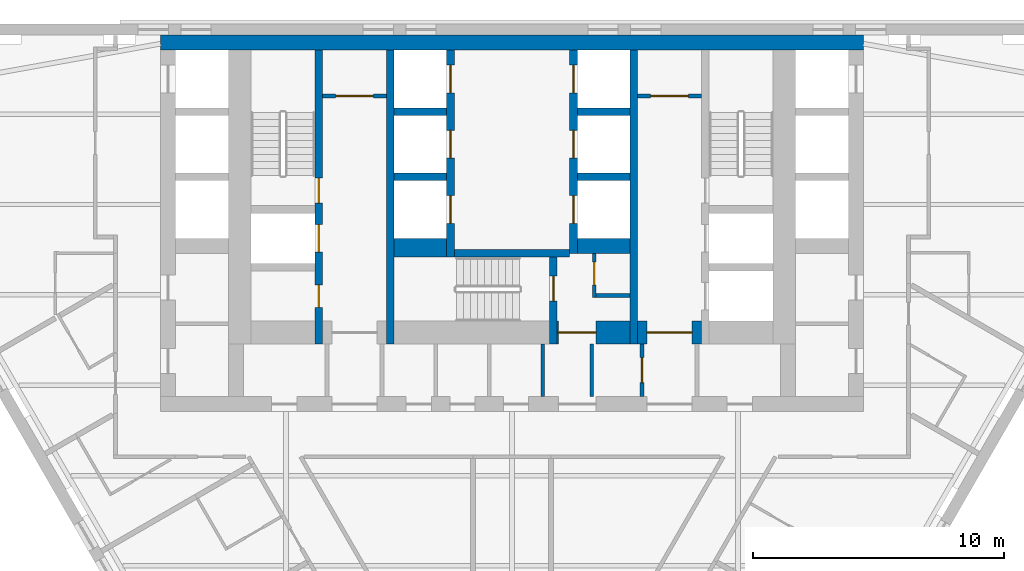
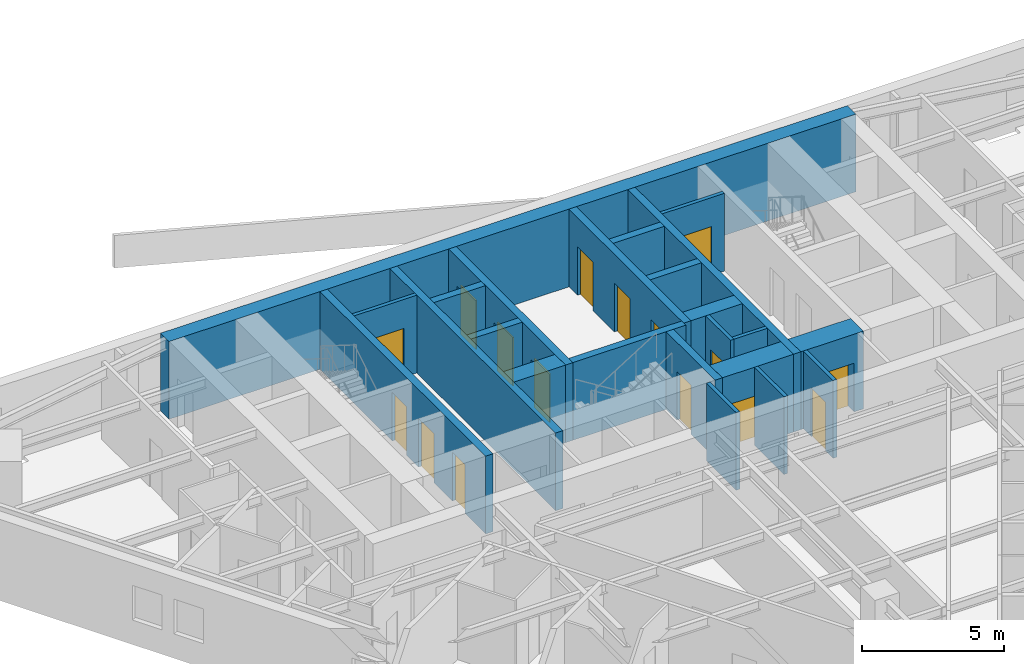
# One storey, part 6 of 11: 23 walls, 16 doors, 16 openings.
"""IFC4 building model written with IfcOpenShell, lengths in metres."""

from ifc_helpers import new_model, si_unit, direction, frame, frame_2d, origin, place, context, subcontext, project, spatial, rectangle, extrude, material, layer, layer_set, type_object, element, fill, save


model = new_model("IFC4")

# Units and contexts
model_context = context("Model", 3, precision=1e-05, world=origin(), true_north=direction((0.0, 1.0)))
body_context = subcontext(model_context, "Body", "Model", "MODEL_VIEW")
ifc_project = project(units=[si_unit("LENGTHUNIT", "METRE"), si_unit("AREAUNIT", "SQUARE_METRE"), si_unit("VOLUMEUNIT", "CUBIC_METRE"), si_unit("PLANEANGLEUNIT", "RADIAN"), si_unit("MASSUNIT", "GRAM", prefix="KILO")], contexts=[model_context])

# Site, building, storey
site_placement = place(None, origin())
site = spatial("IfcSite", under=ifc_project, at=site_placement, CompositionType="ELEMENT")
building_placement = place(site_placement, origin())
building = spatial("IfcBuilding", under=site, at=building_placement, Name="Aloe Facet Convention Tower", CompositionType="ELEMENT")
storey_placement = place(building_placement, frame((0.0, 0.0, 38.5)))
storey = spatial("IfcBuildingStorey", under=building, at=storey_placement, Name="L07", CompositionType="ELEMENT", Elevation=38.5)

# Wall, opening, door
ifc_material_1 = material(Name="Concrete blockwork partition", Category="masonry")
ifc_layer_1 = layer(ifc_material_1, 0.14990234375)
ifc_layer_set_1 = layer_set([ifc_layer_1], Name="CR-W-PART150")
wall_type_1 = type_object("IfcWallType", Name="CR-W-PART150", PredefinedType="PARTITIONING", material=ifc_layer_set_1)
wall_1_placement = place(storey_placement, frame((72.449951171875, 132.125, 0.0), z_axis=(0.0, 0.0, 1.0), x_axis=(1.0, 0.0, 0.0)))
wall_1 = element("IfcWall", 1, at=wall_1_placement, inside=storey, type_object=wall_type_1, Name="Core partition L07-014", PredefinedType="PARTITIONING", context=body_context, shape_type="SweptSolid", body=[
    extrude(rectangle(XDim=2.550048828125, YDim=0.14990234375, at=frame_2d((1.27490234375, 0.0))), origin(), (0.0, 0.0, 1.0), 3.35009765625),
])
opening_1_placement = place(wall_1_placement, frame((0.52490234375, 0.0, 0.0)))
opening_1 = element("IfcOpeningElement", 2, at=opening_1_placement, cuts=wall_1, Name="Opening L07-CD21", PredefinedType="OPENING", context=body_context, shape_type="SweptSolid", body=[
    extrude(rectangle(XDim=1.5, YDim=2.10009765625, at=frame_2d((0.75, 1.050048828125))), frame((0.0, 0.0849609375, 0.0), z_axis=(0.0, -1.0, 0.0), x_axis=(1.0, 0.0, 0.0)), (0.0, 0.0, 1.0), 0.169921875),
])
ifc_material_2 = material(Name="Steel fire-resisting door set FD60", Category="steel")
door_type_1 = type_object("IfcDoorType", Name="CR-D-REFUGE-1500-FD60-DD", OperationType="DOUBLE_DOOR_DOUBLE_SWING", PredefinedType="DOOR", material=ifc_material_2)
door_1_placement = place(opening_1_placement, origin())
door_1 = element("IfcDoor", 3, at=door_1_placement, inside=storey, type_object=door_type_1, Name="Core door L07-CD21", OperationType="DOUBLE_DOOR_DOUBLE_SWING", OverallHeight=2.10009765625, OverallWidth=1.5, PredefinedType="DOOR", context=body_context, shape_type="SweptSolid", body=[
    extrude(rectangle(XDim=1.5, YDim=2.10009765625, at=frame_2d((0.75, 1.050048828125))), frame((0.0, 0.02490234375, 0.0), z_axis=(0.0, -1.0, 0.0), x_axis=(1.0, 0.0, 0.0)), (0.0, 0.0, 1.0), 0.050048828125),
])
fill(opening_1, door_1)

# Walls
for number, where, z_axis, x_axis, name in (
    (4, (81.22509765625, 122.25, 0.0), (0.0, 0.0, 1.0), (0.0, -1.0, 0.0), "Core partition L07-027"),
    (5, (83.175048828125, 122.25, 0.0), (0.0, 0.0, 1.0), (0.0, -1.0, 0.0), "Core partition L07-034"),
):
    element("IfcWall", number, at=place(storey_placement, frame(where, z_axis=z_axis, x_axis=x_axis)), inside=storey, type_object=wall_type_1, Name=name, PredefinedType="PARTITIONING", context=body_context, shape_type="SweptSolid", body=[
        extrude(rectangle(XDim=2.10009765625, YDim=0.14990234375, at=frame_2d((1.050048828125, 0.0))), origin(), (0.0, 0.0, 1.0), 3.35009765625),
    ])

# Wall, opening, door
wall_2_placement = place(storey_placement, frame((83.27490234375, 125.85009765625, 0.0), z_axis=(0.0, 0.0, 1.0), x_axis=(0.0, -1.0, 0.0)))
wall_2 = element("IfcWall", 6, at=wall_2_placement, inside=storey, type_object=wall_type_1, Name="Core partition L07-035", PredefinedType="PARTITIONING", context=body_context, shape_type="SweptSolid", body=[
    extrude(rectangle(XDim=1.75, YDim=0.14990234375, at=frame_2d((0.875, 0.0))), origin(), (0.0, 0.0, 1.0), 3.35009765625),
])
opening_2_placement = place(wall_2_placement, frame((0.35009765625, 0.0, 0.0)))
opening_2 = element("IfcOpeningElement", 7, at=opening_2_placement, cuts=wall_2, Name="Opening L07-CD19", PredefinedType="OPENING", context=body_context, shape_type="SweptSolid", body=[
    extrude(rectangle(XDim=0.89990234375, YDim=2.10009765625, at=frame_2d((0.449951171875, 1.050048828125))), frame((0.0, 0.0849609375, 0.0), z_axis=(0.0, -1.0, 0.0), x_axis=(1.0, 0.0, 0.0)), (0.0, 0.0, 1.0), 0.169921875),
])
ifc_material_3 = material(Name="Steel fire-resisting door set FD60", Category="steel")
door_type_2 = type_object("IfcDoorType", Name="CR-D-REFUGE-900-FD60-SRIGHT", OperationType="SINGLE_SWING_RIGHT", PredefinedType="DOOR", material=ifc_material_3)
door_2_placement = place(opening_2_placement, origin())
door_2 = element("IfcDoor", 8, at=door_2_placement, inside=storey, type_object=door_type_2, Name="Core door L07-CD19", OperationType="SINGLE_SWING_RIGHT", OverallHeight=2.10009765625, OverallWidth=0.89990234375, PredefinedType="DOOR", context=body_context, shape_type="SweptSolid", body=[
    extrude(rectangle(XDim=0.89990234375, YDim=2.10009765625, at=frame_2d((0.449951171875, 1.050048828125))), frame((0.0, 0.02490234375, 0.0), z_axis=(0.0, -1.0, 0.0), x_axis=(1.0, 0.0, 0.0)), (0.0, 0.0, 1.0), 0.050048828125),
])
fill(opening_2, door_2)

# Wall
wall_3_placement = place(storey_placement, frame((83.35009765625, 124.175048828125, 0.0), z_axis=(0.0, 0.0, 1.0), x_axis=(1.0, 0.0, 0.0)))
element("IfcWall", 9, at=wall_3_placement, inside=storey, type_object=wall_type_1, Name="Core partition L07-036", PredefinedType="PARTITIONING", context=body_context, shape_type="SweptSolid", body=[
    extrude(rectangle(XDim=1.349853515625, YDim=0.14990234375, at=frame_2d((0.6748046875, 0.0))), origin(), (0.0, 0.0, 1.0), 3.35009765625),
])

# Wall, opening, door
wall_4_placement = place(storey_placement, frame((85.0, 132.125, 0.0), z_axis=(0.0, 0.0, 1.0), x_axis=(1.0, 0.0, 0.0)))
wall_4 = element("IfcWall", 10, at=wall_4_placement, inside=storey, type_object=wall_type_1, Name="Core partition L07-038", PredefinedType="PARTITIONING", context=body_context, shape_type="SweptSolid", body=[
    extrude(rectangle(XDim=2.550048828125, YDim=0.14990234375, at=frame_2d((1.27490234375, 0.0))), origin(), (0.0, 0.0, 1.0), 3.35009765625),
])
opening_3_placement = place(wall_4_placement, frame((0.52490234375, 0.0, 0.0)))
opening_3 = element("IfcOpeningElement", 11, at=opening_3_placement, cuts=wall_4, Name="Opening L07-CD20", PredefinedType="OPENING", context=body_context, shape_type="SweptSolid", body=[
    extrude(rectangle(XDim=1.5, YDim=2.10009765625, at=frame_2d((0.75, 1.050048828125))), frame((0.0, 0.0849609375, 0.0), z_axis=(0.0, -1.0, 0.0), x_axis=(1.0, 0.0, 0.0)), (0.0, 0.0, 1.0), 0.169921875),
])
door_3_placement = place(opening_3_placement, origin())
door_3 = element("IfcDoor", 12, at=door_3_placement, inside=storey, type_object=door_type_1, Name="Core door L07-CD20", OperationType="DOUBLE_DOOR_DOUBLE_SWING", OverallHeight=2.10009765625, OverallWidth=1.5, PredefinedType="DOOR", context=body_context, shape_type="SweptSolid", body=[
    extrude(rectangle(XDim=1.5, YDim=2.10009765625, at=frame_2d((0.75, 1.050048828125))), frame((0.0, 0.02490234375, 0.0), z_axis=(0.0, -1.0, 0.0), x_axis=(1.0, 0.0, 0.0)), (0.0, 0.0, 1.0), 0.050048828125),
])
fill(opening_3, door_3)

wall_5_placement = place(storey_placement, frame((85.175048828125, 122.25, 0.0), z_axis=(0.0, 0.0, 1.0), x_axis=(0.0, -1.0, 0.0)))
wall_5 = element("IfcWall", 13, at=wall_5_placement, inside=storey, type_object=wall_type_1, Name="Core partition L07-040", PredefinedType="PARTITIONING", context=body_context, shape_type="SweptSolid", body=[
    extrude(rectangle(XDim=2.10009765625, YDim=0.14990234375, at=frame_2d((1.050048828125, 0.0))), origin(), (0.0, 0.0, 1.0), 3.35009765625),
])
opening_4_placement = place(wall_5_placement, frame((0.550048828125, 0.0, 0.0)))
opening_4 = element("IfcOpeningElement", 14, at=opening_4_placement, cuts=wall_5, Name="Opening L07-CD27", PredefinedType="OPENING", context=body_context, shape_type="SweptSolid", body=[
    extrude(rectangle(XDim=1.0, YDim=2.10009765625, at=frame_2d((0.5, 1.050048828125))), frame((0.0, 0.0849609375, 0.0), z_axis=(0.0, -1.0, 0.0), x_axis=(1.0, 0.0, 0.0)), (0.0, 0.0, 1.0), 0.169921875),
])
ifc_material_4 = material(Name="Steel fire-resisting door set FD60", Category="steel")
door_type_3 = type_object("IfcDoorType", Name="CR-D-ROOM-1000-FD60-SRIGHT", OperationType="SINGLE_SWING_RIGHT", PredefinedType="DOOR", material=ifc_material_4)
door_4_placement = place(opening_4_placement, origin())
door_4 = element("IfcDoor", 15, at=door_4_placement, inside=storey, type_object=door_type_3, Name="Core door L07-CD27", OperationType="SINGLE_SWING_RIGHT", OverallHeight=2.10009765625, OverallWidth=1.0, PredefinedType="DOOR", context=body_context, shape_type="SweptSolid", body=[
    extrude(rectangle(XDim=1.0, YDim=2.10009765625, at=frame_2d((0.5, 1.050048828125))), frame((0.0, 0.02490234375, 0.0), z_axis=(0.0, -1.0, 0.0), x_axis=(1.0, 0.0, 0.0)), (0.0, 0.0, 1.0), 0.050048828125),
])
fill(opening_4, door_4)

# Wall, openings, doors
ifc_material_5 = material(Name="Concrete C80/95", Category="concrete")
ifc_layer_2 = layer(ifc_material_5, 0.300048828125)
ifc_layer_set_2 = layer_set([ifc_layer_2], Name="CR-W-RC300-C8095")
wall_type_2 = type_object("IfcWallType", Name="CR-W-RC300-C8095", PredefinedType="SOLIDWALL", material=ifc_layer_set_2)
wall_6_placement = place(storey_placement, frame((72.300048828125, 133.949951171875, 0.0), z_axis=(0.0, 0.0, 1.0), x_axis=(0.0, -1.0, 0.0)))
wall_6 = element("IfcWall", 16, at=wall_6_placement, inside=storey, type_object=wall_type_2, Name="Core wall L07-013", PredefinedType="SOLIDWALL", context=body_context, shape_type="SweptSolid", body=[
    extrude(rectangle(XDim=11.699951171875, YDim=0.300048828125, at=frame_2d((5.85009765625, 0.0))), origin(), (0.0, 0.0, 1.0), 3.35009765625),
])
opening_5_placement = place(wall_6_placement, frame((6.949951171875, 0.0, 0.0)))
opening_5 = element("IfcOpeningElement", 17, at=opening_5_placement, cuts=wall_6, Name="Opening LD-FF1-L07", PredefinedType="OPENING", context=body_context, shape_type="SweptSolid", body=[
    extrude(rectangle(XDim=1.10009765625, YDim=2.10009765625, at=frame_2d((0.550048828125, 1.050048828125))), frame((0.0, 0.16015625, 0.0), z_axis=(0.0, -1.0, 0.0), x_axis=(1.0, 0.0, 0.0)), (0.0, 0.0, 1.0), 0.320068359375),
])
opening_6_placement = place(wall_6_placement, frame((9.35009765625, 0.0, 0.0)))
opening_6 = element("IfcOpeningElement", 18, at=opening_6_placement, cuts=wall_6, Name="Opening L07-CD22", PredefinedType="OPENING", context=body_context, shape_type="SweptSolid", body=[
    extrude(rectangle(XDim=0.89990234375, YDim=2.10009765625, at=frame_2d((0.449951171875, 1.050048828125))), frame((0.0, 0.16015625, 0.0), z_axis=(0.0, -1.0, 0.0), x_axis=(1.0, 0.0, 0.0)), (0.0, 0.0, 1.0), 0.320068359375),
])
opening_7_placement = place(wall_6_placement, frame((5.10009765625, 0.0, 0.0)))
opening_7 = element("IfcOpeningElement", 19, at=opening_7_placement, cuts=wall_6, Name="Opening L07-CD29", PredefinedType="OPENING", context=body_context, shape_type="SweptSolid", body=[
    extrude(rectangle(XDim=1.0, YDim=2.10009765625, at=frame_2d((0.5, 1.050048828125))), frame((0.0, 0.16015625, 0.0), z_axis=(0.0, -1.0, 0.0), x_axis=(1.0, 0.0, 0.0)), (0.0, 0.0, 1.0), 0.320068359375),
])
ifc_material_6 = material(Name="Steel fire-resisting door set FD60", Category="steel")
door_type_4 = type_object("IfcDoorType", Name="CR-D-ROOM-900-FD60-SLEFT", OperationType="SINGLE_SWING_LEFT", PredefinedType="DOOR", material=ifc_material_6)
door_5_placement = place(opening_6_placement, origin())
door_5 = element("IfcDoor", 20, at=door_5_placement, inside=storey, type_object=door_type_4, Name="Core door L07-CD22", OperationType="SINGLE_SWING_LEFT", OverallHeight=2.10009765625, OverallWidth=0.89990234375, PredefinedType="DOOR", context=body_context, shape_type="SweptSolid", body=[
    extrude(rectangle(XDim=0.89990234375, YDim=2.10009765625, at=frame_2d((0.449951171875, 1.050048828125))), frame((0.0, 0.02490234375, 0.0), z_axis=(0.0, -1.0, 0.0), x_axis=(1.0, 0.0, 0.0)), (0.0, 0.0, 1.0), 0.050048828125),
])
fill(opening_6, door_5)
ifc_material_7 = material(Name="Steel fire-resisting door set FD120", Category="steel")
door_type_5 = type_object("IfcDoorType", Name="CR-D-STAIR-1000-FD120-SRIGHT", OperationType="SINGLE_SWING_RIGHT", PredefinedType="DOOR", material=ifc_material_7)
door_6_placement = place(opening_7_placement, origin())
door_6 = element("IfcDoor", 21, at=door_6_placement, inside=storey, type_object=door_type_5, Name="Core door L07-CD29", OperationType="SINGLE_SWING_RIGHT", OverallHeight=2.10009765625, OverallWidth=1.0, PredefinedType="DOOR", context=body_context, shape_type="SweptSolid", body=[
    extrude(rectangle(XDim=1.0, YDim=2.10009765625, at=frame_2d((0.5, 1.050048828125))), frame((0.0, 0.02490234375, 0.0), z_axis=(0.0, -1.0, 0.0), x_axis=(1.0, 0.0, 0.0)), (0.0, 0.0, 1.0), 0.050048828125),
])
fill(opening_7, door_6)
ifc_material_8 = material(Name="Stainless steel sliding landing door", Category="steel")
door_type_6 = type_object("IfcDoorType", Name="CR-LD-1100-FD120-_LEFT", OperationType="SLIDING_TO_LEFT", PredefinedType="DOOR", material=ifc_material_8)
door_7_placement = place(opening_5_placement, origin())
door_7 = element("IfcDoor", 22, at=door_7_placement, inside=storey, type_object=door_type_6, Name="Landing door FF1 L07", OperationType="SLIDING_TO_LEFT", OverallHeight=2.10009765625, OverallWidth=1.10009765625, PredefinedType="DOOR", context=body_context, shape_type="SweptSolid", body=[
    extrude(rectangle(XDim=1.10009765625, YDim=2.10009765625, at=frame_2d((0.550048828125, 1.050048828125))), frame((0.0, 0.02490234375, 0.0), z_axis=(0.0, -1.0, 0.0), x_axis=(1.0, 0.0, 0.0)), (0.0, 0.0, 1.0), 0.050048828125),
])
fill(opening_5, door_7)

# Walls
wall_7_placement = place(storey_placement, frame((75.14990234375, 133.949951171875, 0.0), z_axis=(0.0, 0.0, 1.0), x_axis=(0.0, -1.0, 0.0)))
element("IfcWall", 23, at=wall_7_placement, inside=storey, type_object=wall_type_2, Name="Core wall L07-018", PredefinedType="SOLIDWALL", context=body_context, shape_type="SweptSolid", body=[
    extrude(rectangle(XDim=11.699951171875, YDim=0.300048828125, at=frame_2d((5.85009765625, 0.0))), origin(), (0.0, 0.0, 1.0), 3.35009765625),
])
for number, where, z_axis, x_axis, name in (
    (24, (75.300048828125, 131.5, 0.0), (0.0, 0.0, 1.0), (1.0, 0.0, 0.0), "Core wall L07-019"),
    (25, (75.300048828125, 128.89990234375, 0.0), (0.0, 0.0, 1.0), (1.0, 0.0, 0.0), "Core wall L07-020"),
):
    element("IfcWall", number, at=place(storey_placement, frame(where, z_axis=z_axis, x_axis=x_axis)), inside=storey, type_object=wall_type_2, Name=name, PredefinedType="SOLIDWALL", context=body_context, shape_type="SweptSolid", body=[
        extrude(rectangle(XDim=2.099853515625, YDim=0.300048828125, at=frame_2d((1.0498046875, 0.0))), origin(), (0.0, 0.0, 1.0), 3.35009765625),
    ])

# Wall, openings, doors
wall_8_placement = place(storey_placement, frame((77.550048828125, 133.949951171875, 0.0), z_axis=(0.0, 0.0, 1.0), x_axis=(0.0, -1.0, 0.0)))
wall_8 = element("IfcWall", 26, at=wall_8_placement, inside=storey, type_object=wall_type_2, Name="Core wall L07-024", PredefinedType="SOLIDWALL", context=body_context, shape_type="SweptSolid", body=[
    extrude(rectangle(XDim=8.25, YDim=0.300048828125, at=frame_2d((4.125, 0.0))), origin(), (0.0, 0.0, 1.0), 3.35009765625),
])
opening_8_placement = place(wall_8_placement, frame((0.60009765625, 0.0, 0.0)))
opening_8 = element("IfcOpeningElement", 27, at=opening_8_placement, cuts=wall_8, Name="Opening LD-A1-L07", PredefinedType="OPENING", context=body_context, shape_type="SweptSolid", body=[
    extrude(rectangle(XDim=1.10009765625, YDim=2.10009765625, at=frame_2d((0.550048828125, 1.050048828125))), frame((0.0, 0.16015625, 0.0), z_axis=(0.0, -1.0, 0.0), x_axis=(1.0, 0.0, 0.0)), (0.0, 0.0, 1.0), 0.320068359375),
])
opening_9_placement = place(wall_8_placement, frame((3.199951171875, 0.0, 0.0)))
opening_9 = element("IfcOpeningElement", 28, at=opening_9_placement, cuts=wall_8, Name="Opening LD-A2-L07", PredefinedType="OPENING", context=body_context, shape_type="SweptSolid", body=[
    extrude(rectangle(XDim=1.10009765625, YDim=2.10009765625, at=frame_2d((0.550048828125, 1.050048828125))), frame((0.0, 0.16015625, 0.0), z_axis=(0.0, -1.0, 0.0), x_axis=(1.0, 0.0, 0.0)), (0.0, 0.0, 1.0), 0.320068359375),
])
opening_10_placement = place(wall_8_placement, frame((5.800048828125, 0.0, 0.0)))
opening_10 = element("IfcOpeningElement", 29, at=opening_10_placement, cuts=wall_8, Name="Opening LD-A3-L07", PredefinedType="OPENING", context=body_context, shape_type="SweptSolid", body=[
    extrude(rectangle(XDim=1.10009765625, YDim=2.10009765625, at=frame_2d((0.550048828125, 1.050048828125))), frame((0.0, 0.16015625, 0.0), z_axis=(0.0, -1.0, 0.0), x_axis=(1.0, 0.0, 0.0)), (0.0, 0.0, 1.0), 0.320068359375),
])
ifc_material_9 = material(Name="Stainless steel sliding landing door", Category="steel")
door_type_7 = type_object("IfcDoorType", Name="CR-LD-1100-FD60-RIGHT", OperationType="SLIDING_TO_RIGHT", PredefinedType="DOOR", material=ifc_material_9)
door_8_placement = place(opening_8_placement, origin())
door_8 = element("IfcDoor", 30, at=door_8_placement, inside=storey, type_object=door_type_7, Name="Landing door A1 L07", OperationType="SLIDING_TO_RIGHT", OverallHeight=2.10009765625, OverallWidth=1.10009765625, PredefinedType="DOOR", context=body_context, shape_type="SweptSolid", body=[
    extrude(rectangle(XDim=1.10009765625, YDim=2.10009765625, at=frame_2d((0.550048828125, 1.050048828125))), frame((0.0, 0.02490234375, 0.0), z_axis=(0.0, -1.0, 0.0), x_axis=(1.0, 0.0, 0.0)), (0.0, 0.0, 1.0), 0.050048828125),
])
fill(opening_8, door_8)
door_9_placement = place(opening_9_placement, origin())
door_9 = element("IfcDoor", 31, at=door_9_placement, inside=storey, type_object=door_type_7, Name="Landing door A2 L07", OperationType="SLIDING_TO_RIGHT", OverallHeight=2.10009765625, OverallWidth=1.10009765625, PredefinedType="DOOR", context=body_context, shape_type="SweptSolid", body=[
    extrude(rectangle(XDim=1.10009765625, YDim=2.10009765625, at=frame_2d((0.550048828125, 1.050048828125))), frame((0.0, 0.02490234375, 0.0), z_axis=(0.0, -1.0, 0.0), x_axis=(1.0, 0.0, 0.0)), (0.0, 0.0, 1.0), 0.050048828125),
])
fill(opening_9, door_9)
door_10_placement = place(opening_10_placement, origin())
door_10 = element("IfcDoor", 32, at=door_10_placement, inside=storey, type_object=door_type_7, Name="Landing door A3 L07", OperationType="SLIDING_TO_RIGHT", OverallHeight=2.10009765625, OverallWidth=1.10009765625, PredefinedType="DOOR", context=body_context, shape_type="SweptSolid", body=[
    extrude(rectangle(XDim=1.10009765625, YDim=2.10009765625, at=frame_2d((0.550048828125, 1.050048828125))), frame((0.0, 0.02490234375, 0.0), z_axis=(0.0, -1.0, 0.0), x_axis=(1.0, 0.0, 0.0)), (0.0, 0.0, 1.0), 0.050048828125),
])
fill(opening_10, door_10)

# Wall
wall_9_placement = place(storey_placement, frame((77.699951171875, 125.85009765625, 0.0), z_axis=(0.0, 0.0, 1.0), x_axis=(1.0, 0.0, 0.0)))
element("IfcWall", 33, at=wall_9_placement, inside=storey, type_object=wall_type_2, Name="Core wall L07-025", PredefinedType="SOLIDWALL", context=body_context, shape_type="SweptSolid", body=[
    extrude(rectangle(XDim=4.60009765625, YDim=0.300048828125, at=frame_2d((2.300048828125, 0.0))), origin(), (0.0, 0.0, 1.0), 3.35009765625),
])

# Wall, opening, door
wall_10_placement = place(storey_placement, frame((81.64990234375, 125.699951171875, 0.0), z_axis=(0.0, 0.0, 1.0), x_axis=(0.0, -1.0, 0.0)))
wall_10 = element("IfcWall", 34, at=wall_10_placement, inside=storey, type_object=wall_type_2, Name="Core wall L07-028", PredefinedType="SOLIDWALL", context=body_context, shape_type="SweptSolid", body=[
    extrude(rectangle(XDim=3.449951171875, YDim=0.300048828125, at=frame_2d((1.72509765625, 0.0))), origin(), (0.0, 0.0, 1.0), 3.35009765625),
])
opening_11_placement = place(wall_10_placement, frame((0.75, 0.0, 0.0)))
opening_11 = element("IfcOpeningElement", 35, at=opening_11_placement, cuts=wall_10, Name="Opening L07-CD31", PredefinedType="OPENING", context=body_context, shape_type="SweptSolid", body=[
    extrude(rectangle(XDim=1.0, YDim=2.10009765625, at=frame_2d((0.5, 1.050048828125))), frame((0.0, 0.16015625, 0.0), z_axis=(0.0, -1.0, 0.0), x_axis=(1.0, 0.0, 0.0)), (0.0, 0.0, 1.0), 0.320068359375),
])
ifc_material_10 = material(Name="Steel fire-resisting door set FD120", Category="steel")
door_type_8 = type_object("IfcDoorType", Name="CR-D-STAIR-1000-FD120-SLEFT", OperationType="SINGLE_SWING_LEFT", PredefinedType="DOOR", material=ifc_material_10)
door_11_placement = place(opening_11_placement, origin())
door_11 = element("IfcDoor", 36, at=door_11_placement, inside=storey, type_object=door_type_8, Name="Core door L07-CD31", OperationType="SINGLE_SWING_LEFT", OverallHeight=2.10009765625, OverallWidth=1.0, PredefinedType="DOOR", context=body_context, shape_type="SweptSolid", body=[
    extrude(rectangle(XDim=1.0, YDim=2.10009765625, at=frame_2d((0.5, 1.050048828125))), frame((0.0, 0.02490234375, 0.0), z_axis=(0.0, -1.0, 0.0), x_axis=(1.0, 0.0, 0.0)), (0.0, 0.0, 1.0), 0.050048828125),
])
fill(opening_11, door_11)

# Wall, openings, doors
wall_11_placement = place(storey_placement, frame((82.449951171875, 133.949951171875, 0.0), z_axis=(0.0, 0.0, 1.0), x_axis=(0.0, -1.0, 0.0)))
wall_11 = element("IfcWall", 37, at=wall_11_placement, inside=storey, type_object=wall_type_2, Name="Core wall L07-030", PredefinedType="SOLIDWALL", context=body_context, shape_type="SweptSolid", body=[
    extrude(rectangle(XDim=8.099853515625, YDim=0.300048828125, at=frame_2d((4.0498046875, 0.0))), origin(), (0.0, 0.0, 1.0), 3.35009765625),
])
opening_12_placement = place(wall_11_placement, frame((0.60009765625, 0.0, 0.0)))
opening_12 = element("IfcOpeningElement", 38, at=opening_12_placement, cuts=wall_11, Name="Opening LD-A4-L07", PredefinedType="OPENING", context=body_context, shape_type="SweptSolid", body=[
    extrude(rectangle(XDim=1.10009765625, YDim=2.10009765625, at=frame_2d((0.550048828125, 1.050048828125))), frame((0.0, 0.16015625, 0.0), z_axis=(0.0, -1.0, 0.0), x_axis=(1.0, 0.0, 0.0)), (0.0, 0.0, 1.0), 0.320068359375),
])
opening_13_placement = place(wall_11_placement, frame((3.199951171875, 0.0, 0.0)))
opening_13 = element("IfcOpeningElement", 39, at=opening_13_placement, cuts=wall_11, Name="Opening LD-A5-L07", PredefinedType="OPENING", context=body_context, shape_type="SweptSolid", body=[
    extrude(rectangle(XDim=1.10009765625, YDim=2.10009765625, at=frame_2d((0.550048828125, 1.050048828125))), frame((0.0, 0.16015625, 0.0), z_axis=(0.0, -1.0, 0.0), x_axis=(1.0, 0.0, 0.0)), (0.0, 0.0, 1.0), 0.320068359375),
])
opening_14_placement = place(wall_11_placement, frame((5.800048828125, 0.0, 0.0)))
opening_14 = element("IfcOpeningElement", 40, at=opening_14_placement, cuts=wall_11, Name="Opening LD-A6-L07", PredefinedType="OPENING", context=body_context, shape_type="SweptSolid", body=[
    extrude(rectangle(XDim=1.10009765625, YDim=2.10009765625, at=frame_2d((0.550048828125, 1.050048828125))), frame((0.0, 0.16015625, 0.0), z_axis=(0.0, -1.0, 0.0), x_axis=(1.0, 0.0, 0.0)), (0.0, 0.0, 1.0), 0.320068359375),
])
ifc_material_11 = material(Name="Stainless steel sliding landing door", Category="steel")
door_type_9 = type_object("IfcDoorType", Name="CR-LD-1100-FD60-_LEFT", OperationType="SLIDING_TO_LEFT", PredefinedType="DOOR", material=ifc_material_11)
door_12_placement = place(opening_12_placement, origin())
door_12 = element("IfcDoor", 41, at=door_12_placement, inside=storey, type_object=door_type_9, Name="Landing door A4 L07", OperationType="SLIDING_TO_LEFT", OverallHeight=2.10009765625, OverallWidth=1.10009765625, PredefinedType="DOOR", context=body_context, shape_type="SweptSolid", body=[
    extrude(rectangle(XDim=1.10009765625, YDim=2.10009765625, at=frame_2d((0.550048828125, 1.050048828125))), frame((0.0, 0.02490234375, 0.0), z_axis=(0.0, -1.0, 0.0), x_axis=(1.0, 0.0, 0.0)), (0.0, 0.0, 1.0), 0.050048828125),
])
fill(opening_12, door_12)
door_13_placement = place(opening_13_placement, origin())
door_13 = element("IfcDoor", 42, at=door_13_placement, inside=storey, type_object=door_type_9, Name="Landing door A5 L07", OperationType="SLIDING_TO_LEFT", OverallHeight=2.10009765625, OverallWidth=1.10009765625, PredefinedType="DOOR", context=body_context, shape_type="SweptSolid", body=[
    extrude(rectangle(XDim=1.10009765625, YDim=2.10009765625, at=frame_2d((0.550048828125, 1.050048828125))), frame((0.0, 0.02490234375, 0.0), z_axis=(0.0, -1.0, 0.0), x_axis=(1.0, 0.0, 0.0)), (0.0, 0.0, 1.0), 0.050048828125),
])
fill(opening_13, door_13)
door_14_placement = place(opening_14_placement, origin())
door_14 = element("IfcDoor", 43, at=door_14_placement, inside=storey, type_object=door_type_9, Name="Landing door A6 L07", OperationType="SLIDING_TO_LEFT", OverallHeight=2.10009765625, OverallWidth=1.10009765625, PredefinedType="DOOR", context=body_context, shape_type="SweptSolid", body=[
    extrude(rectangle(XDim=1.10009765625, YDim=2.10009765625, at=frame_2d((0.550048828125, 1.050048828125))), frame((0.0, 0.02490234375, 0.0), z_axis=(0.0, -1.0, 0.0), x_axis=(1.0, 0.0, 0.0)), (0.0, 0.0, 1.0), 0.050048828125),
])
fill(opening_14, door_14)

# Walls
for number, where, z_axis, x_axis, name in (
    (44, (82.60009765625, 131.5, 0.0), (0.0, 0.0, 1.0), (1.0, 0.0, 0.0), "Core wall L07-031"),
    (45, (82.60009765625, 128.89990234375, 0.0), (0.0, 0.0, 1.0), (1.0, 0.0, 0.0), "Core wall L07-032"),
):
    element("IfcWall", number, at=place(storey_placement, frame(where, z_axis=z_axis, x_axis=x_axis)), inside=storey, type_object=wall_type_2, Name=name, PredefinedType="SOLIDWALL", context=body_context, shape_type="SweptSolid", body=[
        extrude(rectangle(XDim=2.099853515625, YDim=0.300048828125, at=frame_2d((1.0498046875, 0.0))), origin(), (0.0, 0.0, 1.0), 3.35009765625),
    ])
wall_12_placement = place(storey_placement, frame((84.85009765625, 133.949951171875, 0.0), z_axis=(0.0, 0.0, 1.0), x_axis=(0.0, -1.0, 0.0)))
element("IfcWall", 46, at=wall_12_placement, inside=storey, type_object=wall_type_2, Name="Core wall L07-037", PredefinedType="SOLIDWALL", context=body_context, shape_type="SweptSolid", body=[
    extrude(rectangle(XDim=11.699951171875, YDim=0.300048828125, at=frame_2d((5.85009765625, 0.0))), origin(), (0.0, 0.0, 1.0), 3.35009765625),
])
ifc_material_12 = material(Name="Concrete C80/95", Category="concrete")
ifc_layer_3 = layer(ifc_material_12, 0.60009765625)
ifc_layer_set_3 = layer_set([ifc_layer_3], Name="CR-W-RC600-C8095")
wall_type_3 = type_object("IfcWallType", Name="CR-W-RC600-C8095", PredefinedType="SOLIDWALL", material=ifc_layer_set_3)
wall_13_placement = place(storey_placement, frame((66.0, 134.25, 0.0), z_axis=(0.0, 0.0, 1.0), x_axis=(1.0, 0.0, 0.0)))
element("IfcWall", 47, at=wall_13_placement, inside=storey, type_object=wall_type_3, Name="Core wall L07-001", PredefinedType="SOLIDWALL", context=body_context, shape_type="SweptSolid", body=[
    extrude(rectangle(XDim=28.0, YDim=0.60009765625, at=frame_2d((14.0, 0.0))), origin(), (0.0, 0.0, 1.0), 3.35009765625),
])
wall_14_placement = place(storey_placement, frame((82.60009765625, 126.14990234375, 0.0), z_axis=(0.0, 0.0, 1.0), x_axis=(1.0, 0.0, 0.0)))
element("IfcWall", 48, at=wall_14_placement, inside=storey, type_object=wall_type_3, Name="Core wall L07-033", PredefinedType="SOLIDWALL", context=body_context, shape_type="SweptSolid", body=[
    extrude(rectangle(XDim=2.099853515625, YDim=0.60009765625, at=frame_2d((1.0498046875, 0.0))), origin(), (0.0, 0.0, 1.0), 3.35009765625),
])
ifc_material_13 = material(Name="Concrete C80/95", Category="concrete")
ifc_layer_4 = layer(ifc_material_13, 0.75)
ifc_layer_set_4 = layer_set([ifc_layer_4], Name="CR-W-RC750-C8095")
wall_type_4 = type_object("IfcWallType", Name="CR-W-RC750-C8095", PredefinedType="SOLIDWALL", material=ifc_layer_set_4)
wall_15_placement = place(storey_placement, frame((75.300048828125, 126.074951171875, 0.0), z_axis=(0.0, 0.0, 1.0), x_axis=(1.0, 0.0, 0.0)))
element("IfcWall", 49, at=wall_15_placement, inside=storey, type_object=wall_type_4, Name="Core wall L07-021", PredefinedType="SOLIDWALL", context=body_context, shape_type="SweptSolid", body=[
    extrude(rectangle(XDim=2.099853515625, YDim=0.75, at=frame_2d((1.0498046875, 0.0))), origin(), (0.0, 0.0, 1.0), 3.35009765625),
])

# Wall, opening, door
ifc_material_14 = material(Name="Concrete C80/95", Category="concrete")
ifc_layer_5 = layer(ifc_material_14, 0.89990234375)
ifc_layer_set_5 = layer_set([ifc_layer_5], Name="CR-W-RC900-C8095")
wall_type_5 = type_object("IfcWallType", Name="CR-W-RC900-C8095", PredefinedType="SOLIDWALL", material=ifc_layer_set_5)
wall_16_placement = place(storey_placement, frame((81.800048828125, 122.699951171875, 0.0), z_axis=(0.0, 0.0, 1.0), x_axis=(1.0, 0.0, 0.0)))
wall_16 = element("IfcWall", 50, at=wall_16_placement, inside=storey, type_object=wall_type_5, Name="Core wall L07-029", PredefinedType="SOLIDWALL", context=body_context, shape_type="SweptSolid", body=[
    extrude(rectangle(XDim=2.89990234375, YDim=0.89990234375, at=frame_2d((1.449951171875, 0.0))), origin(), (0.0, 0.0, 1.0), 3.35009765625),
])
opening_15_placement = place(wall_16_placement, frame((0.050048828125, 0.0, 0.0)))
opening_15 = element("IfcOpeningElement", 51, at=opening_15_placement, cuts=wall_16, Name="Opening L07-CD15", PredefinedType="OPENING", context=body_context, shape_type="SweptSolid", body=[
    extrude(rectangle(XDim=1.5, YDim=2.10009765625, at=frame_2d((0.75, 1.050048828125))), frame((0.0, 0.4599609375, 0.0), z_axis=(0.0, -1.0, 0.0), x_axis=(1.0, 0.0, 0.0)), (0.0, 0.0, 1.0), 0.919921875),
])
ifc_material_15 = material(Name="Steel fire-resisting door set FD60", Category="steel")
door_type_10 = type_object("IfcDoorType", Name="CR-D-EXIT-1500-FD60-DD", OperationType="DOUBLE_DOOR_DOUBLE_SWING", PredefinedType="DOOR", material=ifc_material_15)
door_15_placement = place(opening_15_placement, origin())
door_15 = element("IfcDoor", 52, at=door_15_placement, inside=storey, type_object=door_type_10, Name="Core door L07-CD15", OperationType="DOUBLE_DOOR_DOUBLE_SWING", OverallHeight=2.10009765625, OverallWidth=1.5, PredefinedType="DOOR", context=body_context, shape_type="SweptSolid", body=[
    extrude(rectangle(XDim=1.5, YDim=2.10009765625, at=frame_2d((0.75, 1.050048828125))), frame((0.0, 0.02490234375, 0.0), z_axis=(0.0, -1.0, 0.0), x_axis=(1.0, 0.0, 0.0)), (0.0, 0.0, 1.0), 0.050048828125),
])
fill(opening_15, door_15)

wall_17_placement = place(storey_placement, frame((85.0, 122.699951171875, 0.0), z_axis=(0.0, 0.0, 1.0), x_axis=(1.0, 0.0, 0.0)))
wall_17 = element("IfcWall", 53, at=wall_17_placement, inside=storey, type_object=wall_type_5, Name="Core wall L07-039", PredefinedType="SOLIDWALL", context=body_context, shape_type="SweptSolid", body=[
    extrude(rectangle(XDim=2.550048828125, YDim=0.89990234375, at=frame_2d((1.27490234375, 0.0))), origin(), (0.0, 0.0, 1.0), 3.35009765625),
])
opening_16_placement = place(wall_17_placement, frame((0.375, 0.0, 0.0)))
opening_16 = element("IfcOpeningElement", 54, at=opening_16_placement, cuts=wall_17, Name="Opening L07-CD13", PredefinedType="OPENING", context=body_context, shape_type="SweptSolid", body=[
    extrude(rectangle(XDim=1.800048828125, YDim=2.10009765625, at=frame_2d((0.89990234375, 1.050048828125))), frame((0.0, 0.4599609375, 0.0), z_axis=(0.0, -1.0, 0.0), x_axis=(1.0, 0.0, 0.0)), (0.0, 0.0, 1.0), 0.919921875),
])
ifc_material_16 = material(Name="Steel fire-resisting door set FD120", Category="steel")
door_type_11 = type_object("IfcDoorType", Name="CR-D-EXIT-1800-FD120-DD", OperationType="DOUBLE_DOOR_DOUBLE_SWING", PredefinedType="DOOR", material=ifc_material_16)
door_16_placement = place(opening_16_placement, origin())
door_16 = element("IfcDoor", 55, at=door_16_placement, inside=storey, type_object=door_type_11, Name="Core door L07-CD13", OperationType="DOUBLE_DOOR_DOUBLE_SWING", OverallHeight=2.10009765625, OverallWidth=1.800048828125, PredefinedType="DOOR", context=body_context, shape_type="SweptSolid", body=[
    extrude(rectangle(XDim=1.800048828125, YDim=2.10009765625, at=frame_2d((0.89990234375, 1.050048828125))), frame((0.0, 0.02490234375, 0.0), z_axis=(0.0, -1.0, 0.0), x_axis=(1.0, 0.0, 0.0)), (0.0, 0.0, 1.0), 0.050048828125),
])
fill(opening_16, door_16)

save(model, "model.ifc")
